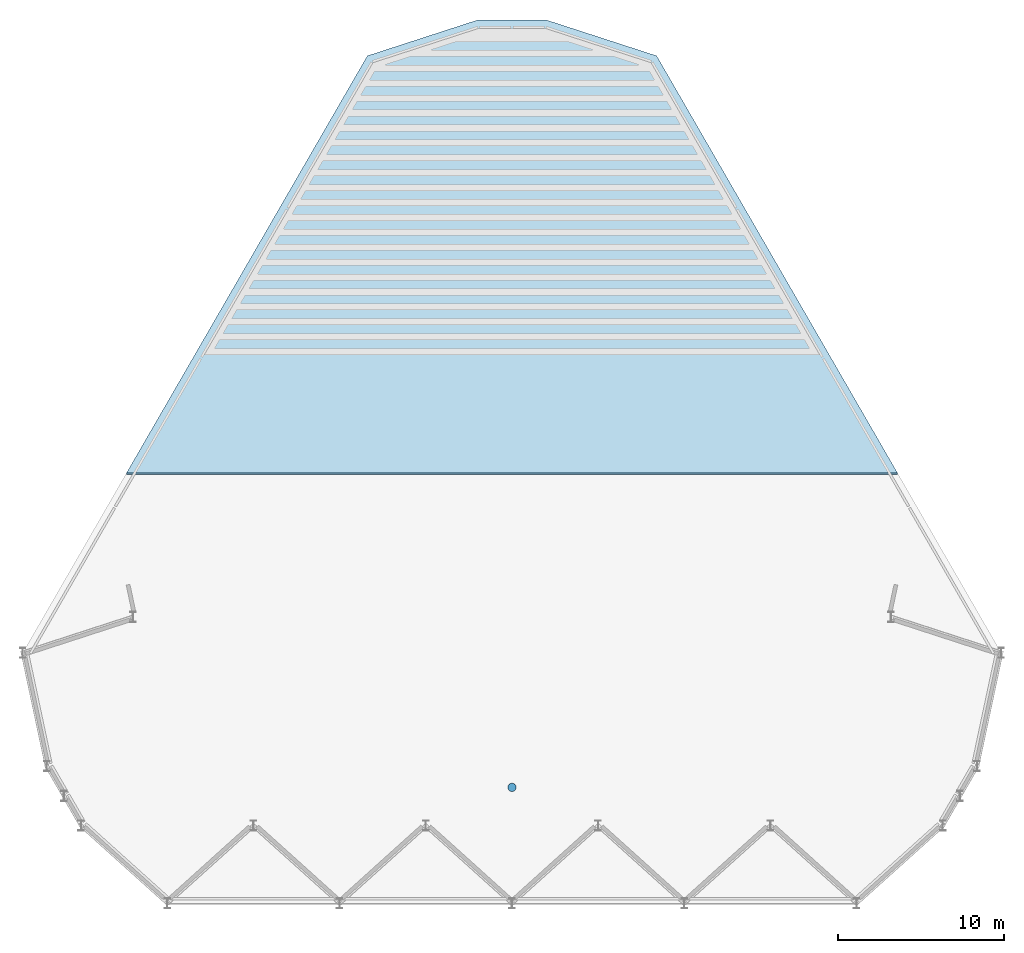
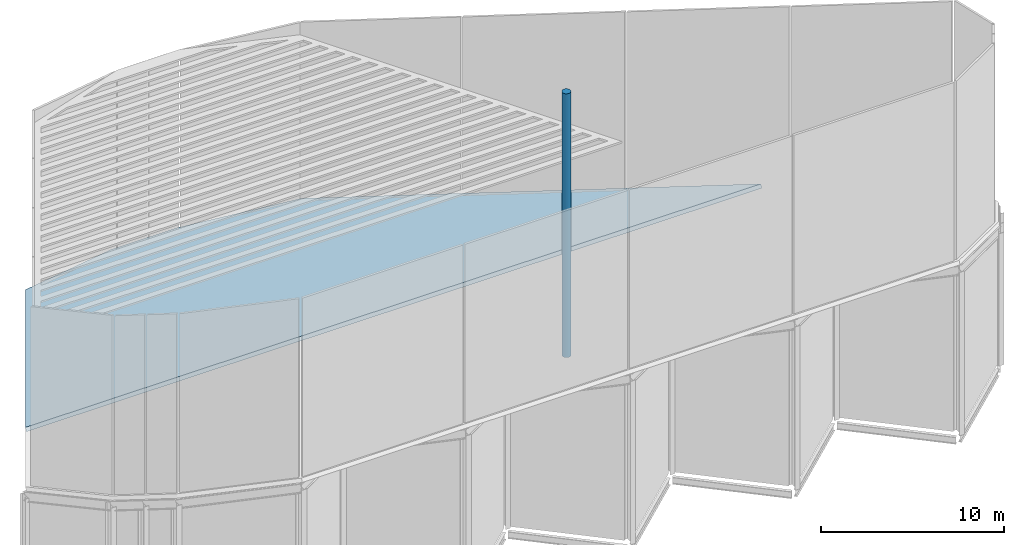
# One storey, part 4 of 5: 1 discrete accessory, 1 roof.
"""IFC4 building model written with IfcOpenShell, lengths in metres."""

from ifc_helpers import new_model, si_unit, direction, frame, origin, origin_2d, place, context, subcontext, project, spatial, polyline, circle, outline, extrude, material, layer, layer_set, material_profile, profile_set, type_object, element, save


model = new_model("IFC4")

# Units and contexts
model_context = context("Model", 3, precision=1e-05, world=origin(), true_north=direction((0.0, 1.0)))
body_context = subcontext(model_context, "Body", "Model", "MODEL_VIEW")
ifc_project = project(units=[si_unit("LENGTHUNIT", "METRE"), si_unit("AREAUNIT", "SQUARE_METRE"), si_unit("VOLUMEUNIT", "CUBIC_METRE"), si_unit("PLANEANGLEUNIT", "RADIAN"), si_unit("MASSUNIT", "GRAM", prefix="KILO")], contexts=[model_context])

# Site, building, storey
site_placement = place(None, origin())
site = spatial("IfcSite", under=ifc_project, at=site_placement, CompositionType="ELEMENT")
building_placement = place(site_placement, origin())
building = spatial("IfcBuilding", under=site, at=building_placement, Name="Cormorant Prow Tower", CompositionType="ELEMENT")
storey_placement = place(building_placement, frame((0.0, 0.0, 447.699951171875)))
storey = spatial("IfcBuildingStorey", under=building, at=storey_placement, Name="L99", CompositionType="ELEMENT", Elevation=447.699951171875)

# Roof
ifc_material_1 = material(Name="Clear glass", Category="glass")
ifc_layer = layer(ifc_material_1, 0.25)
ifc_layer_set = layer_set([ifc_layer], Name="Clear glass")
roof_type = type_object("IfcRoofType", Name="Crown glazed roof 250", PredefinedType="SHED_ROOF", material=ifc_layer_set)
roof_placement = place(storey_placement, frame((-13.9287109375, 20.050537109375, -7.1552734375), z_axis=(0.0, 0.404814694808, 0.914398743912), x_axis=(0.466879652771, 0.808621886906, -0.357986080518)))
element("IfcRoof", 1, at=roof_placement, inside=storey, type_object=roof_type, Name="Crown glazed roof", PredefinedType="SHED_ROOF", context=body_context, shape_type="SweptSolid", body=[
    extrude(outline(polyline([(0.0, 0.0), (11.138192212133783, -4.440892098500626e-16), (16.3363936401797, -4.780901200495056), (18.272758762561853, -8.44858743856264), (19.288524900549923, -15.43761695118816), (13.006063452101069, -24.634899370641833), (1.7319359193070039, -41.13904416288328), (-19.987314646352836, -0.00042031553070165373), (0.0, 0.0)])), origin(), (0.0, 0.0, -1.0), 0.25),
])

# Discrete accessory
ifc_material_2 = material(Name="Aluminium 6063-T6", Category="aluminium")
ifc_material_profile = material_profile(ifc_material_2, circle(Radius=0.25, at=origin_2d()), Name="Crown mast 500")
ifc_profile_set = profile_set([ifc_material_profile], Name="Aluminium 6063-T6")
discrete_accessory_type = type_object("IfcDiscreteAccessoryType", Name="Crown mast 500", PredefinedType="USERDEFINED", material=ifc_profile_set)
discrete_accessory_placement = place(storey_placement, frame((0.0, -15.087890625, 8.200927734375), z_axis=(0.0, 0.0, 1.0), x_axis=(1.0, 0.0, 0.0)))
element("IfcDiscreteAccessory", 2, at=discrete_accessory_placement, inside=storey, type_object=discrete_accessory_type, Name="Crown mast", ObjectType="MAST", PredefinedType="USERDEFINED", context=body_context, shape_type="SweptSolid", body=[
    extrude(circle(Radius=0.25, at=origin_2d()), origin(), (0.0, 0.0, 1.0), 17.64404296875),
])

save(model, "model.ifc")
